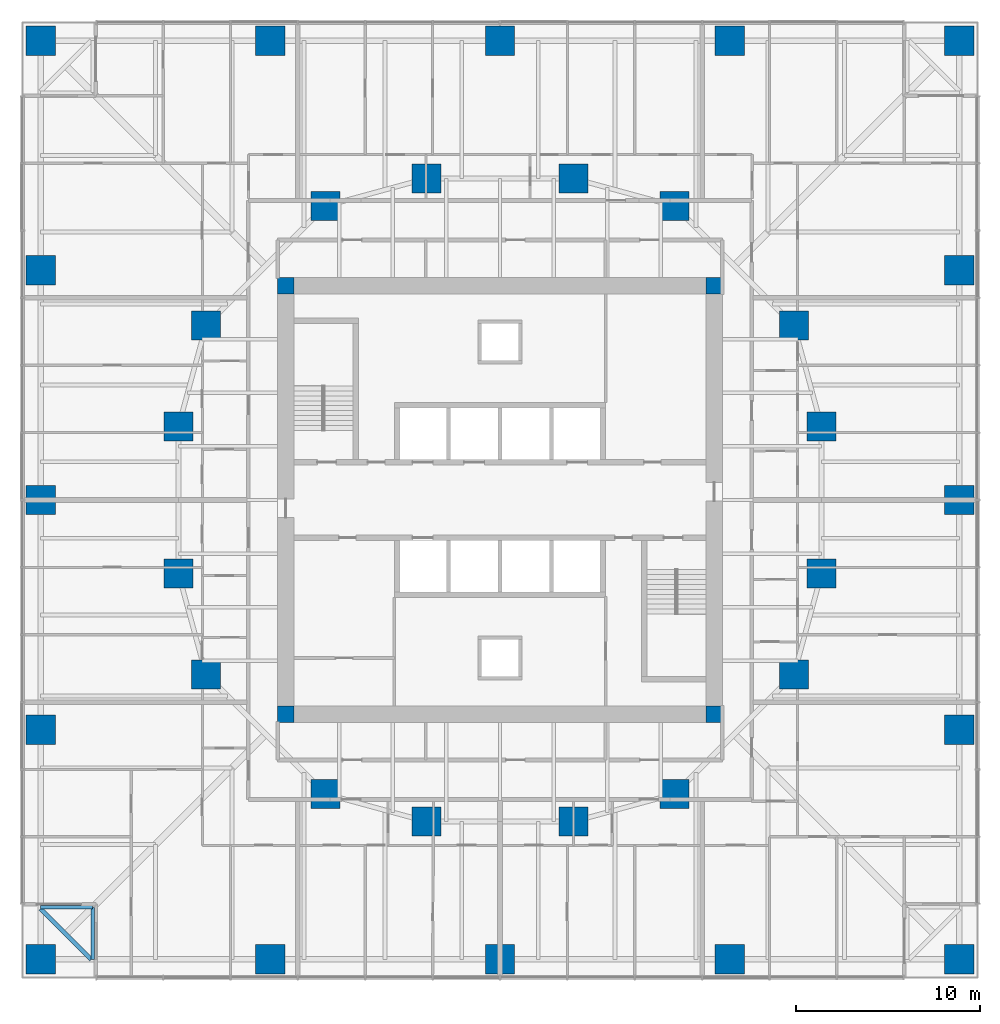
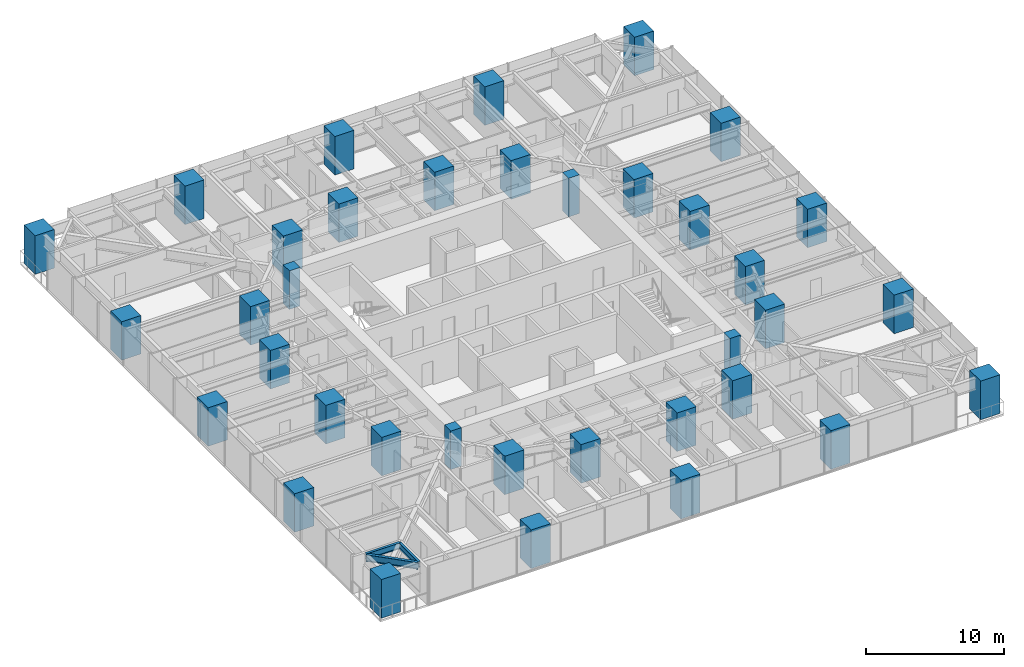
# One storey, part 1 of 14: 36 columns, 3 beams.
"""IFC4 building model written with IfcOpenShell, lengths in metres."""

import ifcopenshell
import ifcopenshell.guid

model = None  # the IFC model being written
_history = None  # IfcOwnerHistory: only IFC2X3 demands one
_inside = {}  # id of a spatial element -> (the spatial element, [elements in it])
_under = {}  # id of a project, library or spatial element -> (it, [spatial elements below it])
_declared = {}  # id of a project -> (the project, [libraries it declares])
_typed = {}  # id of a type object -> (the type object, [elements of that type])
_made_of = {}  # id of a material, layer set ... -> (it, [elements and type objects made of it])


def new_model(schema):
    """Start an empty IFC model of exactly this schema.

    Asked for "IFC4X3", IfcOpenShell would pick the latest addendum, in which some entities
    have other attributes; the version numbers below select the first issue.
    IFC2X3 requires an IfcOwnerHistory on every rooted entity: one is made here for all.
    """
    global model, _history
    if schema == "IFC4X3":
        model = ifcopenshell.file(schema_version=(4, 3, 0, 0))
    else:
        model = ifcopenshell.file(schema=schema)
    _inside.clear()
    _under.clear()
    _declared.clear()
    _typed.clear()
    _made_of.clear()
    _history = None
    if model.schema == "IFC2X3":
        org = make("IfcOrganization", Name="unknown")
        user = make(
            "IfcPersonAndOrganization",
            ThePerson=make("IfcPerson", FamilyName="unknown"),
            TheOrganization=org,
        )
        app = make(
            "IfcApplication",
            ApplicationDeveloper=org,
            Version="unknown",
            ApplicationFullName="unknown",
            ApplicationIdentifier="unknown",
        )
        _history = make(
            "IfcOwnerHistory",
            OwningUser=user,
            OwningApplication=app,
            ChangeAction="ADDED",
            CreationDate=0,
        )
    return model


def make(cls, **values):
    """One entity of the class cls with the attributes given. An attribute that is None is left unset."""
    return model.create_entity(
        cls, **{name: value for name, value in values.items() if value is not None}
    )


def rooted(cls, **values):
    """An entity with a GlobalId (a new one), such as an element, a storey or a relation."""
    return make(cls, GlobalId=ifcopenshell.guid.new(), OwnerHistory=_history, **values)


def si_unit(unit_type, name, prefix=None):
    """IfcSIUnit, for example si_unit("LENGTHUNIT", "METRE", prefix="MILLI")."""
    return make("IfcSIUnit", UnitType=unit_type, Prefix=prefix, Name=name)


def assignment(units):
    """IfcUnitAssignment: the units of a project."""
    return None if units is None else make("IfcUnitAssignment", Units=units)


def point(xyz):
    """IfcCartesianPoint."""
    return None if xyz is None else make("IfcCartesianPoint", Coordinates=xyz)


def direction(xyz):
    """IfcDirection."""
    return None if xyz is None else make("IfcDirection", DirectionRatios=xyz)


def frame(location, z_axis=None, x_axis=None):
    """IfcAxis2Placement3D, a coordinate frame: its origin and axes. An axis left out is left unset."""
    return make(
        "IfcAxis2Placement3D",
        Location=point(location),
        Axis=direction(z_axis),
        RefDirection=direction(x_axis),
    )


def frame_2d(location, x_axis=None):
    """IfcAxis2Placement2D, a coordinate frame in the plane: its origin and x axis."""
    return make(
        "IfcAxis2Placement2D", Location=point(location), RefDirection=direction(x_axis)
    )


def origin():
    """The frame at (0, 0, 0) with its axes left unset."""
    return frame((0.0, 0.0, 0.0))


def origin_2d():
    """The frame at (0, 0) in the plane with its x axis left unset."""
    return frame_2d((0.0, 0.0))


def place(relative_to, where):
    """IfcLocalPlacement: puts the frame where relative to a parent placement (None: the world)."""
    return make(
        "IfcLocalPlacement", PlacementRelTo=relative_to, RelativePlacement=where
    )


def context(
    kind, dimensions, precision=None, world=None, true_north=None, identifier=None
):
    """IfcGeometricRepresentationContext, for example the 3D "Model" context."""
    return make(
        "IfcGeometricRepresentationContext",
        ContextIdentifier=identifier,
        ContextType=kind,
        CoordinateSpaceDimension=dimensions,
        Precision=precision,
        WorldCoordinateSystem=world,
        TrueNorth=true_north,
    )


def subcontext(parent, identifier, kind, view, scale=None):
    """IfcGeometricRepresentationSubContext, for example "Body" below "Model"."""
    return make(
        "IfcGeometricRepresentationSubContext",
        ContextIdentifier=identifier,
        ContextType=kind,
        ParentContext=parent,
        TargetScale=scale,
        TargetView=view,
    )


def project(units=None, contexts=None):
    """IfcProject with its units and contexts."""
    return rooted(
        "IfcProject",
        Name="project",
        RepresentationContexts=contexts,
        UnitsInContext=assignment(units),
    )


def spatial(cls, under=None, at=None, **own):
    """A site, building, storey or space (cls), placed at a placement, below another one or the project."""
    s = rooted(cls, ObjectPlacement=at, **own)
    if under is not None:
        _under.setdefault(under.id(), (under, []))[1].append(s)
    return s


def profile(cls, at=None, kind="AREA", **sizes):
    """A parametric profile (cls). Its sizes go by their IFC names, for example OverallWidth=200.0."""
    return make(cls, ProfileType=kind, Position=at, **sizes)


def rectangle(**sizes):
    """IfcRectangleProfileDef."""
    return profile("IfcRectangleProfileDef", **sizes)


def i_section(**sizes):
    """IfcIShapeProfileDef."""
    return profile("IfcIShapeProfileDef", **sizes)


def extrude(swept, where, along, depth):
    """IfcExtrudedAreaSolid: the profile swept, set in the frame where, extruded along a direction by depth."""
    return make(
        "IfcExtrudedAreaSolid",
        SweptArea=swept,
        Position=where,
        ExtrudedDirection=direction(along),
        Depth=depth,
    )


def shape(context_of_items, identifier, shape_type, items):
    """IfcShapeRepresentation: the items that make up one representation, for example the "Body"."""
    return make(
        "IfcShapeRepresentation",
        ContextOfItems=context_of_items,
        RepresentationIdentifier=identifier,
        RepresentationType=shape_type,
        Items=items,
    )


def material(Name=None, Category=None):
    """IfcMaterial."""
    return make("IfcMaterial", Name=Name, Category=Category)


def material_profile(
    of_material, cross_section, Name=None, Category=None, Priority=None
):
    """IfcMaterialProfile: a cross section and its material."""
    return make(
        "IfcMaterialProfile",
        Name=Name,
        Material=of_material,
        Profile=cross_section,
        Priority=Priority,
        Category=Category,
    )


def profile_set(profiles, Name=None, composite=None):
    """IfcMaterialProfileSet."""
    return make(
        "IfcMaterialProfileSet",
        Name=Name,
        MaterialProfiles=profiles,
        CompositeProfile=composite,
    )


def made_of(thing, what):
    """Note that an element or type object is made of a material, layer set ...; save() writes the relation."""
    if what is not None:
        _made_of.setdefault(what.id(), (what, []))[1].append(thing)
    return thing


def type_object(cls, material=None, **own):
    """A type object (cls), such as IfcWallType, which elements share."""
    return made_of(rooted(cls, **own), material)


def element(
    cls,
    number,
    at=None,
    inside=None,
    cuts=None,
    type_object=None,
    material=None,
    context=None,
    identifier="Body",
    shape_type=None,
    held_by="IfcProductDefinitionShape",
    body=None,
    shapes=None,
    **own,
):
    """One element of the class cls, such as IfcWall. Its Tag is "e" and its number.

    at: its placement. inside: the storey or other place that contains it. cuts: it is an
    opening in that element (IfcRelVoidsElement). A single representation is given by context,
    identifier, shape_type and body (its items); several are given by shapes. held_by: the class
    of the entity that holds the representations. save() writes the other relations.
    """
    e = rooted(cls, Tag="e%d" % number, ObjectPlacement=at, **own)
    if body is not None:
        shapes = [shape(context, identifier, shape_type, body)]
    if shapes is not None:
        e.Representation = make(held_by, Representations=shapes)
    if inside is not None:
        _inside.setdefault(inside.id(), (inside, []))[1].append(e)
    if cuts is not None:
        rooted(
            "IfcRelVoidsElement", RelatingBuildingElement=cuts, RelatedOpeningElement=e
        )
    if type_object is not None:
        _typed.setdefault(type_object.id(), (type_object, []))[1].append(e)
    return made_of(e, material)


def aggregate(whole, parts):
    """IfcRelAggregates: a whole, such as a stair, and the parts it consists of."""
    return rooted("IfcRelAggregates", RelatingObject=whole, RelatedObjects=parts)


def save(model, path):
    """Write the relations noted so far, then the file.

    IfcRelAggregates (storeys below a building ...), IfcRelContainedInSpatialStructure (elements
    in a storey), IfcRelDefinesByType, IfcRelAssociatesMaterial and IfcRelDeclares: one each for
    every whole, place, type object, material and project.
    """
    for whole, parts in _under.values():
        aggregate(whole, parts)
    for where, things in _inside.values():
        rooted(
            "IfcRelContainedInSpatialStructure",
            RelatedElements=things,
            RelatingStructure=where,
        )
    for kind, things in _typed.values():
        rooted("IfcRelDefinesByType", RelatedObjects=things, RelatingType=kind)
    for what, things in _made_of.values():
        rooted("IfcRelAssociatesMaterial", RelatedObjects=things, RelatingMaterial=what)
    for by, libraries in _declared.values():
        rooted("IfcRelDeclares", RelatingContext=by, RelatedDefinitions=libraries)
    model.write(path)


model = new_model("IFC4")

# Units and contexts
model_context = context("Model", 3, precision=1e-05, world=origin(), true_north=direction((0.0, 1.0)))
body_context = subcontext(model_context, "Body", "Model", "MODEL_VIEW")
ifc_project = project(units=[si_unit("LENGTHUNIT", "METRE"), si_unit("AREAUNIT", "SQUARE_METRE"), si_unit("VOLUMEUNIT", "CUBIC_METRE"), si_unit("PLANEANGLEUNIT", "RADIAN"), si_unit("MASSUNIT", "GRAM", prefix="KILO")], contexts=[model_context])

# Site, building, storey
site_placement = place(None, origin())
site = spatial("IfcSite", under=ifc_project, at=site_placement, CompositionType="ELEMENT")
building_placement = place(site_placement, origin())
building = spatial("IfcBuilding", under=site, at=building_placement, Name="Torsade Residences", CompositionType="ELEMENT")
storey_placement = place(building_placement, frame((0.0, 0.0, 32.0)))
storey = spatial("IfcBuildingStorey", under=building, at=storey_placement, Name="L08", CompositionType="ELEMENT", Elevation=32.0)

# Columns
ifc_material_1 = material(Name="Concrete 80 MPa", Category="concrete")
ifc_material_profile_1 = material_profile(ifc_material_1, rectangle(XDim=0.89990234375, YDim=0.89990234375, at=origin_2d()), Name="RC 900x900")
ifc_profile_set_1 = profile_set([ifc_material_profile_1], Name="Concrete 80 MPa")
column_type_1 = type_object("IfcColumnType", Name="CORE CORNER COLUMN RC 900x900", PredefinedType="COLUMN", material=ifc_profile_set_1)
for number, where, z_axis, x_axis, name in (
    (1, (28.35009765625, 18.35009765625, 0.0), (0.0, 0.0, 1.0), (1.0, 0.0, 0.0), "Core corner column CC1 L08"),
    (2, (51.64990234375, 18.35009765625, 0.0), (0.0, 0.0, 1.0), (1.0, 0.0, 0.0), "Core corner column CC2 L08"),
    (3, (51.64990234375, 41.64990234375, 0.0), (0.0, 0.0, 1.0), (1.0, 0.0, 0.0), "Core corner column CC3 L08"),
    (4, (28.35009765625, 41.64990234375, 0.0), (0.0, 0.0, 1.0), (1.0, 0.0, 0.0), "Core corner column CC4 L08"),
):
    element("IfcColumn", number, at=place(storey_placement, frame(where, z_axis=z_axis, x_axis=x_axis)), inside=storey, type_object=column_type_1, Name=name, PredefinedType="COLUMN", context=body_context, shape_type="SweptSolid", body=[
        extrude(rectangle(XDim=0.89990234375, YDim=0.89990234375, at=origin_2d()), origin(), (0.0, 0.0, 1.0), 3.39990234375),
    ])
ifc_material_2 = material(Name="Concrete 80 MPa", Category="concrete")
ifc_material_profile_2 = material_profile(ifc_material_2, rectangle(XDim=1.60009765625, YDim=1.60009765625, at=origin_2d()), Name="RC 1600x1600")
ifc_profile_set_2 = profile_set([ifc_material_profile_2], Name="Concrete 80 MPa")
column_type_2 = type_object("IfcColumnType", Name="INNER RING COLUMN RC 1600x1600", PredefinedType="COLUMN", material=ifc_profile_set_2)
for number, where, z_axis, x_axis, name in (
    (5, (57.5, 26.0, 0.0), (0.0, 0.0, 1.0), (1.0, 0.0, 0.0), "Inner ring column IR01 L08"),
    (6, (57.5, 34.0, 0.0), (0.0, 0.0, 1.0), (1.0, 0.0, 0.0), "Inner ring column IR02 L08"),
    (7, (56.0, 39.5, 0.0), (0.0, 0.0, 1.0), (1.0, 0.0, 0.0), "Inner ring column IR03 L08"),
    (8, (49.5, 46.0, 0.0), (0.0, 0.0, 1.0), (1.0, 0.0, 0.0), "Inner ring column IR04 L08"),
    (9, (44.0, 47.5, 0.0), (0.0, 0.0, 1.0), (1.0, 0.0, 0.0), "Inner ring column IR05 L08"),
    (10, (36.0, 47.5, 0.0), (0.0, 0.0, 1.0), (1.0, 0.0, 0.0), "Inner ring column IR06 L08"),
    (11, (30.5, 46.0, 0.0), (0.0, 0.0, 1.0), (1.0, 0.0, 0.0), "Inner ring column IR07 L08"),
    (12, (24.0, 39.5, 0.0), (0.0, 0.0, 1.0), (1.0, 0.0, 0.0), "Inner ring column IR08 L08"),
    (13, (22.5, 34.0, 0.0), (0.0, 0.0, 1.0), (1.0, 0.0, 0.0), "Inner ring column IR09 L08"),
    (14, (22.5, 26.0, 0.0), (0.0, 0.0, 1.0), (1.0, 0.0, 0.0), "Inner ring column IR10 L08"),
    (15, (24.0, 20.5, 0.0), (0.0, 0.0, 1.0), (1.0, 0.0, 0.0), "Inner ring column IR11 L08"),
    (16, (30.5, 14.0, 0.0), (0.0, 0.0, 1.0), (1.0, 0.0, 0.0), "Inner ring column IR12 L08"),
    (17, (36.0, 12.5, 0.0), (0.0, 0.0, 1.0), (1.0, 0.0, 0.0), "Inner ring column IR13 L08"),
    (18, (44.0, 12.5, 0.0), (0.0, 0.0, 1.0), (1.0, 0.0, 0.0), "Inner ring column IR14 L08"),
    (19, (49.5, 14.0, 0.0), (0.0, 0.0, 1.0), (1.0, 0.0, 0.0), "Inner ring column IR15 L08"),
    (20, (56.0, 20.5, 0.0), (0.0, 0.0, 1.0), (1.0, 0.0, 0.0), "Inner ring column IR16 L08"),
):
    element("IfcColumn", number, at=place(storey_placement, frame(where, z_axis=z_axis, x_axis=x_axis)), inside=storey, type_object=column_type_2, Name=name, PredefinedType="COLUMN", context=body_context, shape_type="SweptSolid", body=[
        extrude(rectangle(XDim=1.60009765625, YDim=1.60009765625, at=origin_2d()), origin(), (0.0, 0.0, 1.0), 3.39990234375),
    ])
ifc_material_3 = material(Name="Concrete 80 MPa", Category="concrete")
ifc_material_profile_3 = material_profile(ifc_material_3, rectangle(XDim=1.60009765625, YDim=1.60009765625, at=origin_2d()), Name="RC 1600x1600")
ifc_profile_set_3 = profile_set([ifc_material_profile_3], Name="Concrete 80 MPa")
column_type_3 = type_object("IfcColumnType", Name="TOWER COLUMN RC 1600x1600", PredefinedType="COLUMN", material=ifc_profile_set_3)
for number, where, z_axis, x_axis, name in (
    (21, (15.0, 5.0, 0.0), (0.0, 0.0, 1.0), (1.0, 0.0, 0.0), "Column TC1-01 L08"),
    (22, (27.5, 5.0, 0.0), (0.0, 0.0, 1.0), (1.0, 0.0, 0.0), "Column TC1-02 L08"),
    (23, (40.0, 5.0, 0.0), (0.0, 0.0, 1.0), (1.0, 0.0, 0.0), "Column TC1-03 L08"),
    (24, (52.5, 5.0, 0.0), (0.0, 0.0, 1.0), (1.0, 0.0, 0.0), "Column TC1-04 L08"),
    (25, (65.0, 5.0, 0.0), (0.0, 0.0, 1.0), (1.0, 0.0, 0.0), "Column TC1-05 L08"),
    (26, (65.0, 17.5, 0.0), (0.0, 0.0, 1.0), (1.0, 0.0, 0.0), "Column TC1-06 L08"),
    (27, (65.0, 30.0, 0.0), (0.0, 0.0, 1.0), (1.0, 0.0, 0.0), "Column TC1-07 L08"),
    (28, (65.0, 42.5, 0.0), (0.0, 0.0, 1.0), (1.0, 0.0, 0.0), "Column TC1-08 L08"),
    (29, (65.0, 55.0, 0.0), (0.0, 0.0, 1.0), (1.0, 0.0, 0.0), "Column TC1-09 L08"),
    (30, (52.5, 55.0, 0.0), (0.0, 0.0, 1.0), (1.0, 0.0, 0.0), "Column TC1-10 L08"),
    (31, (40.0, 55.0, 0.0), (0.0, 0.0, 1.0), (1.0, 0.0, 0.0), "Column TC1-11 L08"),
    (32, (27.5, 55.0, 0.0), (0.0, 0.0, 1.0), (1.0, 0.0, 0.0), "Column TC1-12 L08"),
    (33, (15.0, 55.0, 0.0), (0.0, 0.0, 1.0), (1.0, 0.0, 0.0), "Column TC1-13 L08"),
    (34, (15.0, 42.5, 0.0), (0.0, 0.0, 1.0), (1.0, 0.0, 0.0), "Column TC1-14 L08"),
    (35, (15.0, 30.0, 0.0), (0.0, 0.0, 1.0), (1.0, 0.0, 0.0), "Column TC1-15 L08"),
    (36, (15.0, 17.5, 0.0), (0.0, 0.0, 1.0), (1.0, 0.0, 0.0), "Column TC1-16 L08"),
):
    element("IfcColumn", number, at=place(storey_placement, frame(where, z_axis=z_axis, x_axis=x_axis)), inside=storey, type_object=column_type_3, Name=name, PredefinedType="COLUMN", context=body_context, shape_type="SweptSolid", body=[
        extrude(rectangle(XDim=1.60009765625, YDim=1.60009765625, at=origin_2d()), origin(), (0.0, 0.0, 1.0), 3.39990234375),
    ])

# Beams
ifc_material_4 = material(Name="Steel grade 300", Category="steel")
ifc_material_profile_4 = material_profile(ifc_material_4, i_section(OverallWidth=0.22802734375, OverallDepth=0.60205078125, WebThickness=0.010498046875, FlangeThickness=0.014892578125, FilletRadius=0.013916015625, at=origin_2d()), Name="610UB101")
ifc_profile_set_4 = profile_set([ifc_material_profile_4], Name="Steel grade 300")
beam_type_1 = type_object("IfcBeamType", Name="CORNER TRIMMER 610UB101", PredefinedType="BEAM", material=ifc_profile_set_4)
beam_placement = place(storey_placement, frame((17.75, 5.0, 2.948974609375), z_axis=(-0.707106781187, 0.707106781187, 0.0), x_axis=(-0.707106781187, -0.707106781187, 0.0)))
element("IfcBeam", 37, at=beam_placement, inside=storey, type_object=beam_type_1, Name="Corner trimmer 01 L09", PredefinedType="BEAM", context=body_context, shape_type="SweptSolid", body=[
    extrude(i_section(OverallWidth=0.22802734375, OverallDepth=0.60205078125, WebThickness=0.010498046875, FlangeThickness=0.014892578125, FilletRadius=0.013916015625, at=origin_2d()), origin(), (0.0, 0.0, 1.0), 3.88916015625),
])
ifc_material_5 = material(Name="Steel grade 300", Category="steel")
ifc_material_profile_5 = material_profile(ifc_material_5, i_section(OverallWidth=0.208984375, OverallDepth=0.528076171875, WebThickness=0.009521484375, FlangeThickness=0.01318359375, FilletRadius=0.013916015625, at=origin_2d()), Name="530UB82.0")
ifc_profile_set_5 = profile_set([ifc_material_profile_5], Name="Steel grade 300")
beam_type_2 = type_object("IfcBeamType", Name="SECONDARY BEAM 530UB82.0", PredefinedType="JOIST", material=ifc_profile_set_5)
for number, where, z_axis, x_axis, name in (
    (38, (17.833251953125, 5.0, 2.986083984375), (0.0, 1.0, 0.0), (-1.0, 0.0, 0.0), "Floor beam FS01 L09"),
    (39, (15.0, 7.833251953125, 2.986083984375), (1.0, 0.0, 0.0), (0.0, 1.0, 0.0), "Floor beam FW12 L09"),
):
    element("IfcBeam", number, at=place(storey_placement, frame(where, z_axis=z_axis, x_axis=x_axis)), inside=storey, type_object=beam_type_2, Name=name, PredefinedType="JOIST", context=body_context, shape_type="SweptSolid", body=[
        extrude(i_section(OverallWidth=0.208984375, OverallDepth=0.528076171875, WebThickness=0.009521484375, FlangeThickness=0.01318359375, FilletRadius=0.013916015625, at=origin_2d()), origin(), (0.0, 0.0, 1.0), 2.833251953125),
    ])

save(model, "model.ifc")
